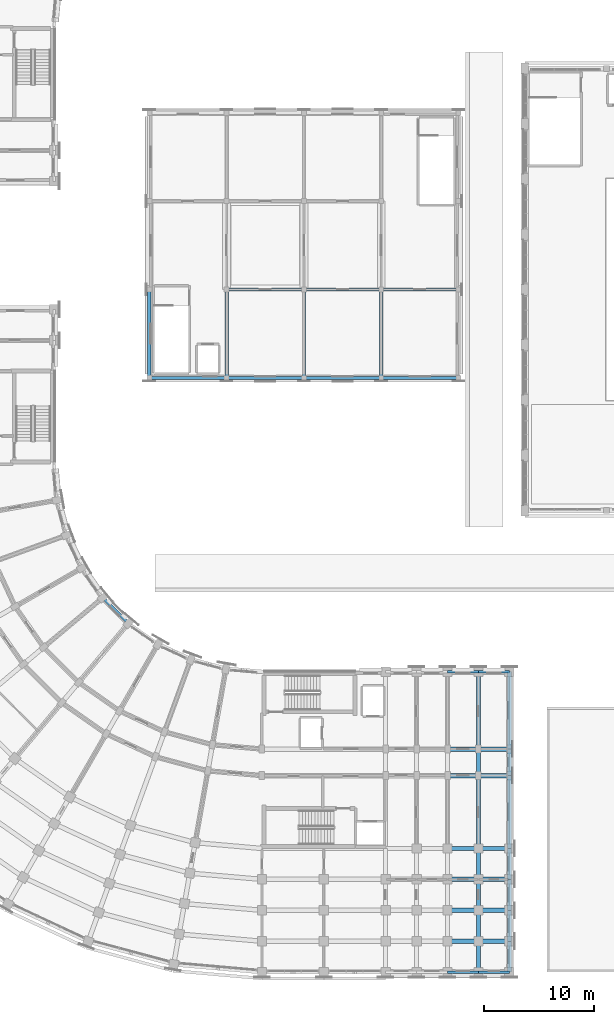
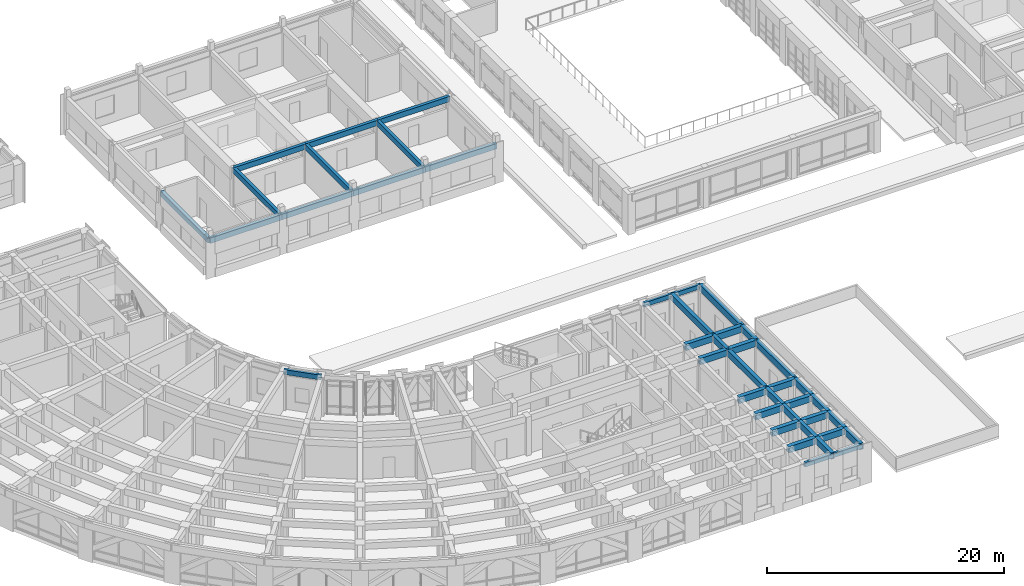
# One storey, part 14 of 97: 42 beams.
"""IFC4 building model written with IfcOpenShell, lengths in metres."""

from ifc_helpers import new_model, si_unit, direction, frame, origin, origin_2d, place, context, subcontext, project, spatial, rectangle, extrude, material, material_profile, profile_set, type_object, element, save


model = new_model("IFC4")

# Units and contexts
model_context = context("Model", 3, precision=1e-05, world=origin(), true_north=direction((0.0, 1.0)))
body_context = subcontext(model_context, "Body", "Model", "MODEL_VIEW")
ifc_project = project(units=[si_unit("LENGTHUNIT", "METRE"), si_unit("AREAUNIT", "SQUARE_METRE"), si_unit("VOLUMEUNIT", "CUBIC_METRE"), si_unit("PLANEANGLEUNIT", "RADIAN"), si_unit("MASSUNIT", "GRAM", prefix="KILO")], contexts=[model_context])

# Site, building, storey
site_placement = place(None, origin())
site = spatial("IfcSite", under=ifc_project, at=site_placement, CompositionType="ELEMENT")
building_placement = place(site_placement, origin())
building = spatial("IfcBuilding", under=site, at=building_placement, Name="Kiranvali Square Residences", CompositionType="ELEMENT")
storey_placement = place(building_placement, frame((0.0, 0.0, 4.5)))
storey = spatial("IfcBuildingStorey", under=building, at=storey_placement, Name="L01", CompositionType="ELEMENT", Elevation=4.5)

# Beams
ifc_material_1 = material(Name="Concrete M40 (40 MPa)", Category="concrete")
ifc_material_profile_1 = material_profile(ifc_material_1, rectangle(XDim=0.300048828125, YDim=0.550048828125, at=origin_2d()), Name="RC 300x550")
ifc_profile_set_1 = profile_set([ifc_material_profile_1], Name="Concrete M40 (40 MPa)")
beam_type_1 = type_object("IfcBeamType", Name="BM-M40-300x550", PredefinedType="BEAM", material=ifc_profile_set_1)
for number, where, z_axis, x_axis, name in (
    (1, (38.0, 56.0, 3.72509765625), (1.0, 0.0, 0.0), (0.0, 1.0, 0.0), "L01 beam BM-NR-L01-X0-0"),
    (2, (45.0, 56.0, 3.72509765625), (1.0, 0.0, 0.0), (0.0, 1.0, 0.0), "L01 beam BM-NR-L01-X1-0"),
    (3, (52.0, 56.0, 3.72509765625), (1.0, 0.0, 0.0), (0.0, 1.0, 0.0), "L01 beam BM-NR-L01-X2-0"),
    (4, (59.0, 56.0, 3.72509765625), (1.0, 0.0, 0.0), (0.0, 1.0, 0.0), "L01 beam BM-NR-L01-X3-0"),
    (5, (45.0, 64.0, 3.72509765625), (1.0, 0.0, 0.0), (0.0, 1.0, 0.0), "L01 beam BM-NR-L01-X1-1"),
    (6, (52.0, 64.0, 3.72509765625), (1.0, 0.0, 0.0), (0.0, 1.0, 0.0), "L01 beam BM-NR-L01-X2-1"),
    (7, (59.0, 64.0, 3.72509765625), (1.0, 0.0, 0.0), (0.0, 1.0, 0.0), "L01 beam BM-NR-L01-X3-1"),
):
    element("IfcBeam", number, at=place(storey_placement, frame(where, z_axis=z_axis, x_axis=x_axis)), inside=storey, type_object=beam_type_1, Name=name, PredefinedType="BEAM", context=body_context, shape_type="SweptSolid", body=[
        extrude(rectangle(XDim=0.300048828125, YDim=0.550048828125, at=origin_2d()), origin(), (0.0, 0.0, 1.0), 7.0),
    ])
for number, where, z_axis, x_axis, name in (
    (8, (38.0, 56.0, 3.72509765625), (0.0, 1.0, 0.0), (-1.0, 0.0, 0.0), "L01 beam BM-NR-L01-Y0-0"),
    (9, (45.0, 56.0, 3.72509765625), (0.0, 1.0, 0.0), (-1.0, 0.0, 0.0), "L01 beam BM-NR-L01-Y1-0"),
    (10, (52.0, 56.0, 3.72509765625), (0.0, 1.0, 0.0), (-1.0, 0.0, 0.0), "L01 beam BM-NR-L01-Y2-0"),
    (11, (59.0, 56.0, 3.72509765625), (0.0, 1.0, 0.0), (-1.0, 0.0, 0.0), "L01 beam BM-NR-L01-Y3-0"),
):
    element("IfcBeam", number, at=place(storey_placement, frame(where, z_axis=z_axis, x_axis=x_axis)), inside=storey, type_object=beam_type_1, Name=name, PredefinedType="BEAM", context=body_context, shape_type="SweptSolid", body=[
        extrude(rectangle(XDim=0.300048828125, YDim=0.550048828125, at=origin_2d()), origin(), (0.0, 0.0, 1.0), 8.0),
    ])
ifc_material_profile_2 = material_profile(ifc_material_1, rectangle(XDim=0.35009765625, YDim=0.64990234375, at=origin_2d()), Name="RC 350x650")
ifc_profile_set_2 = profile_set([ifc_material_profile_2], Name="Concrete M40 (40 MPa)")
beam_type_2 = type_object("IfcBeamType", Name="BM-M40-350x650", PredefinedType="BEAM", material=ifc_profile_set_2)
beam_1_placement = place(storey_placement, frame((67.800048828125, 29.39990234375, 3.655029296875), z_axis=(0.0, -1.0, 0.0), x_axis=(1.0, 0.0, 0.0)))
element("IfcBeam", 12, at=beam_1_placement, inside=storey, type_object=beam_type_2, Name="L01 beam BM-C-L01-A1T4-01", PredefinedType="BEAM", context=body_context, shape_type="SweptSolid", body=[
    extrude(rectangle(XDim=0.35009765625, YDim=0.64990234375, at=origin_2d()), origin(), (0.0, 0.0, 1.0), 7.0),
])
beam_2_placement = place(storey_placement, frame((67.800048828125, 22.39990234375, 3.655029296875), z_axis=(0.0, -1.0, 0.0), x_axis=(1.0, 0.0, 0.0)))
element("IfcBeam", 13, at=beam_2_placement, inside=storey, type_object=beam_type_2, Name="L01 beam BM-C-L01-A1T4-12", PredefinedType="BEAM", context=body_context, shape_type="SweptSolid", body=[
    extrude(rectangle(XDim=0.35009765625, YDim=0.64990234375, at=origin_2d()), origin(), (0.0, 0.0, 1.0), 2.39990234375),
])
beam_3_placement = place(storey_placement, frame((67.800048828125, 20.0, 3.655029296875), z_axis=(0.0, -1.0, 0.0), x_axis=(1.0, 0.0, 0.0)))
element("IfcBeam", 14, at=beam_3_placement, inside=storey, type_object=beam_type_2, Name="L01 beam BM-C-L01-A1T4-23", PredefinedType="BEAM", context=body_context, shape_type="SweptSolid", body=[
    extrude(rectangle(XDim=0.35009765625, YDim=0.64990234375, at=origin_2d()), origin(), (0.0, 0.0, 1.0), 6.60009765625),
])
beam_4_placement = place(storey_placement, frame((67.800048828125, 13.39990234375, 3.655029296875), z_axis=(0.0, -1.0, 0.0), x_axis=(1.0, 0.0, 0.0)))
element("IfcBeam", 15, at=beam_4_placement, inside=storey, type_object=beam_type_2, Name="L01 beam BM-C-L01-A1T4-34", PredefinedType="BEAM", context=body_context, shape_type="SweptSolid", body=[
    extrude(rectangle(XDim=0.35009765625, YDim=0.64990234375, at=origin_2d()), origin(), (0.0, 0.0, 1.0), 2.7998046875),
])
for number, where, z_axis, x_axis, name in (
    (16, (67.800048828125, 10.60009765625, 3.655029296875), (0.0, -1.0, 0.0), (1.0, 0.0, 0.0), "L01 beam BM-C-L01-A1T4-45"),
    (17, (67.800048828125, 7.800048828125, 3.655029296875), (0.0, -1.0, 0.0), (1.0, 0.0, 0.0), "L01 beam BM-C-L01-A1T4-56"),
    (18, (67.800048828125, 5.0, 3.655029296875), (0.0, -1.0, 0.0), (1.0, 0.0, 0.0), "L01 beam BM-C-L01-A1T4-67"),
):
    element("IfcBeam", number, at=place(storey_placement, frame(where, z_axis=z_axis, x_axis=x_axis)), inside=storey, type_object=beam_type_2, Name=name, PredefinedType="BEAM", context=body_context, shape_type="SweptSolid", body=[
        extrude(rectangle(XDim=0.35009765625, YDim=0.64990234375, at=origin_2d()), origin(), (0.0, 0.0, 1.0), 2.800048828125),
    ])
beam_5_placement = place(storey_placement, frame((70.60009765625, 29.39990234375, 3.655029296875), z_axis=(0.0, -1.0, 0.0), x_axis=(1.0, 0.0, 0.0)))
element("IfcBeam", 19, at=beam_5_placement, inside=storey, type_object=beam_type_2, Name="L01 beam BM-C-L01-A1T5-01", PredefinedType="BEAM", context=body_context, shape_type="SweptSolid", body=[
    extrude(rectangle(XDim=0.35009765625, YDim=0.64990234375, at=origin_2d()), origin(), (0.0, 0.0, 1.0), 7.0),
])
beam_6_placement = place(storey_placement, frame((70.60009765625, 22.39990234375, 3.655029296875), z_axis=(0.0, -1.0, 0.0), x_axis=(1.0, 0.0, 0.0)))
element("IfcBeam", 20, at=beam_6_placement, inside=storey, type_object=beam_type_2, Name="L01 beam BM-C-L01-A1T5-12", PredefinedType="BEAM", context=body_context, shape_type="SweptSolid", body=[
    extrude(rectangle(XDim=0.35009765625, YDim=0.64990234375, at=origin_2d()), origin(), (0.0, 0.0, 1.0), 2.39990234375),
])
beam_7_placement = place(storey_placement, frame((70.60009765625, 20.0, 3.655029296875), z_axis=(0.0, -1.0, 0.0), x_axis=(1.0, 0.0, 0.0)))
element("IfcBeam", 21, at=beam_7_placement, inside=storey, type_object=beam_type_2, Name="L01 beam BM-C-L01-A1T5-23", PredefinedType="BEAM", context=body_context, shape_type="SweptSolid", body=[
    extrude(rectangle(XDim=0.35009765625, YDim=0.64990234375, at=origin_2d()), origin(), (0.0, 0.0, 1.0), 6.60009765625),
])
beam_8_placement = place(storey_placement, frame((70.60009765625, 13.39990234375, 3.655029296875), z_axis=(0.0, -1.0, 0.0), x_axis=(1.0, 0.0, 0.0)))
element("IfcBeam", 22, at=beam_8_placement, inside=storey, type_object=beam_type_2, Name="L01 beam BM-C-L01-A1T5-34", PredefinedType="BEAM", context=body_context, shape_type="SweptSolid", body=[
    extrude(rectangle(XDim=0.35009765625, YDim=0.64990234375, at=origin_2d()), origin(), (0.0, 0.0, 1.0), 2.7998046875),
])
for number, where, z_axis, x_axis, name in (
    (23, (70.60009765625, 10.60009765625, 3.655029296875), (0.0, -1.0, 0.0), (1.0, 0.0, 0.0), "L01 beam BM-C-L01-A1T5-45"),
    (24, (70.60009765625, 7.800048828125, 3.655029296875), (0.0, -1.0, 0.0), (1.0, 0.0, 0.0), "L01 beam BM-C-L01-A1T5-56"),
    (25, (70.60009765625, 5.0, 3.655029296875), (0.0, -1.0, 0.0), (1.0, 0.0, 0.0), "L01 beam BM-C-L01-A1T5-67"),
):
    element("IfcBeam", number, at=place(storey_placement, frame(where, z_axis=z_axis, x_axis=x_axis)), inside=storey, type_object=beam_type_2, Name=name, PredefinedType="BEAM", context=body_context, shape_type="SweptSolid", body=[
        extrude(rectangle(XDim=0.35009765625, YDim=0.64990234375, at=origin_2d()), origin(), (0.0, 0.0, 1.0), 2.800048828125),
    ])
ifc_material_2 = material(Name="Concrete M45 (45 MPa)", Category="concrete")
ifc_material_profile_3 = material_profile(ifc_material_2, rectangle(XDim=0.39990234375, YDim=0.64990234375, at=origin_2d()), Name="RC 400x650")
ifc_profile_set_3 = profile_set([ifc_material_profile_3], Name="Concrete M45 (45 MPa)")
beam_type_3 = type_object("IfcBeamType", Name="BM-M45-400x650", PredefinedType="BEAM", material=ifc_profile_set_3)
for number, where, z_axis, x_axis, name in (
    (26, (65.0, 22.39990234375, 3.655029296875), (1.0, 0.0, 0.0), (0.0, 1.0, 0.0), "L01 beam BM-C-L01-A1U3-R1"),
    (27, (67.800048828125, 22.39990234375, 3.655029296875), (1.0, 0.0, 0.0), (0.0, 1.0, 0.0), "L01 beam BM-C-L01-A1U4-R1"),
    (28, (65.0, 20.0, 3.655029296875), (1.0, 0.0, 0.0), (0.0, 1.0, 0.0), "L01 beam BM-C-L01-A1U3-R2"),
    (29, (67.800048828125, 20.0, 3.655029296875), (1.0, 0.0, 0.0), (0.0, 1.0, 0.0), "L01 beam BM-C-L01-A1U4-R2"),
    (30, (65.0, 13.39990234375, 3.655029296875), (1.0, 0.0, 0.0), (0.0, 1.0, 0.0), "L01 beam BM-C-L01-A1U3-R3"),
    (31, (67.800048828125, 13.39990234375, 3.655029296875), (1.0, 0.0, 0.0), (0.0, 1.0, 0.0), "L01 beam BM-C-L01-A1U4-R3"),
    (32, (65.0, 10.60009765625, 3.655029296875), (1.0, 0.0, 0.0), (0.0, 1.0, 0.0), "L01 beam BM-C-L01-A1U4-R4"),
    (33, (67.800048828125, 10.60009765625, 3.655029296875), (1.0, 0.0, 0.0), (0.0, 1.0, 0.0), "L01 beam BM-C-L01-A1U5-R4"),
    (34, (65.0, 7.800048828125, 3.655029296875), (1.0, 0.0, 0.0), (0.0, 1.0, 0.0), "L01 beam BM-C-L01-A1U4-R5"),
    (35, (67.800048828125, 7.800048828125, 3.655029296875), (1.0, 0.0, 0.0), (0.0, 1.0, 0.0), "L01 beam BM-C-L01-A1U5-R5"),
    (36, (65.0, 5.0, 3.655029296875), (1.0, 0.0, 0.0), (0.0, 1.0, 0.0), "L01 beam BM-C-L01-A1U4-R6"),
    (37, (67.800048828125, 5.0, 3.655029296875), (1.0, 0.0, 0.0), (0.0, 1.0, 0.0), "L01 beam BM-C-L01-A1U5-R6"),
):
    element("IfcBeam", number, at=place(storey_placement, frame(where, z_axis=z_axis, x_axis=x_axis)), inside=storey, type_object=beam_type_3, Name=name, PredefinedType="BEAM", context=body_context, shape_type="SweptSolid", body=[
        extrude(rectangle(XDim=0.39990234375, YDim=0.64990234375, at=origin_2d()), origin(), (0.0, 0.0, 1.0), 2.800048828125),
    ])
ifc_material_profile_4 = material_profile(ifc_material_1, rectangle(XDim=0.25, YDim=0.449951171875, at=origin_2d()), Name="RC 250x450")
ifc_profile_set_4 = profile_set([ifc_material_profile_4], Name="Concrete M40 (40 MPa)")
beam_type_4 = type_object("IfcBeamType", Name="SPN-M40-250x450", PredefinedType="SPANDREL", material=ifc_profile_set_4)
for number, where, z_axis, x_axis, name in (
    (38, (65.0, 29.39990234375, 3.7548828125), (1.0, 0.0, 0.0), (0.0, 1.0, 0.0), "L01 beam BM-C-L01-A1U3-R0"),
    (39, (67.800048828125, 29.39990234375, 3.7548828125), (1.0, 0.0, 0.0), (0.0, 1.0, 0.0), "L01 beam BM-C-L01-A1U4-R0"),
    (40, (65.0, 2.199951171875, 3.7548828125), (1.0, 0.0, 0.0), (0.0, 1.0, 0.0), "L01 beam BM-C-L01-A1U4-R7"),
    (41, (67.800048828125, 2.199951171875, 3.7548828125), (1.0, 0.0, 0.0), (0.0, 1.0, 0.0), "L01 beam BM-C-L01-A1U5-R7"),
):
    element("IfcBeam", number, at=place(storey_placement, frame(where, z_axis=z_axis, x_axis=x_axis)), inside=storey, type_object=beam_type_4, Name=name, PredefinedType="SPANDREL", context=body_context, shape_type="SweptSolid", body=[
        extrude(rectangle(XDim=0.25, YDim=0.449951171875, at=origin_2d()), origin(), (0.0, 0.0, 1.0), 2.800048828125),
    ])
ifc_material_profile_5 = material_profile(ifc_material_1, rectangle(XDim=0.25, YDim=0.5, at=origin_2d()), Name="RC 250x500")
ifc_profile_set_5 = profile_set([ifc_material_profile_5], Name="Concrete M40 (40 MPa)")
beam_type_5 = type_object("IfcBeamType", Name="SPN-M40-250x500", PredefinedType="SPANDREL", material=ifc_profile_set_5)
beam_9_placement = place(storey_placement, frame((36.115478515625, 33.79833984375, 3.72998046875), z_axis=(-0.707106781187, 0.707106781187, 0.0), x_axis=(-0.707106781187, -0.707106781187, 0.0)))
element("IfcBeam", 42, at=beam_9_placement, inside=storey, type_object=beam_type_5, Name="L01 beam BM-C-L01-C04-R0", PredefinedType="SPANDREL", context=body_context, shape_type="SweptSolid", body=[
    extrude(rectangle(XDim=0.25, YDim=0.5, at=origin_2d()), origin(), (0.0, 0.0, 1.0), 3.27685546875),
])

save(model, "model.ifc")
